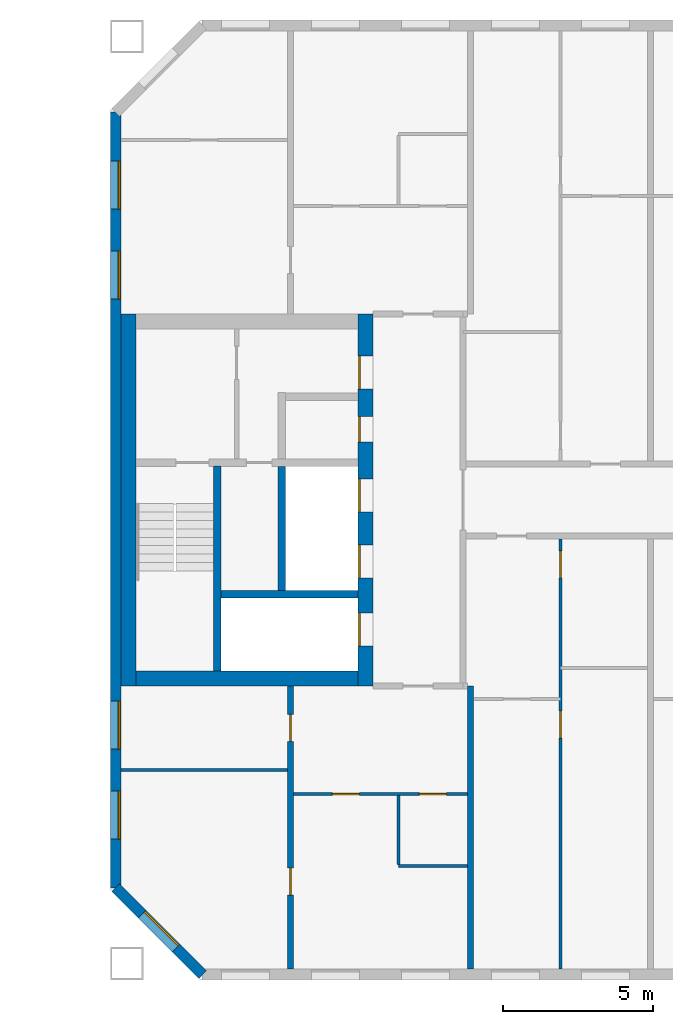
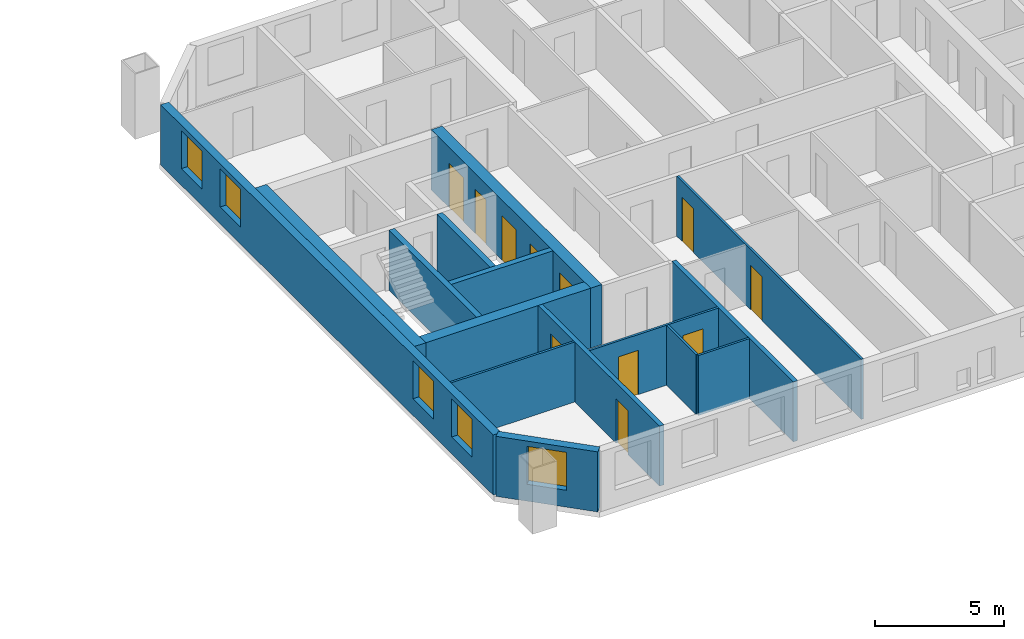
# One storey, part 8 of 15: 15 walls, 11 doors, 5 windows, 16 openings.
"""IFC4 building model written with IfcOpenShell, lengths in metres."""

from ifc_helpers import new_model, si_unit, direction, frame, frame_2d, origin, place, context, subcontext, project, spatial, rectangle, extrude, material, layer, layer_set, type_object, element, fill, save


model = new_model("IFC4")

# Units and contexts
model_context = context("Model", 3, precision=1e-05, world=origin(), true_north=direction((0.0, 1.0)))
body_context = subcontext(model_context, "Body", "Model", "MODEL_VIEW")
ifc_project = project(units=[si_unit("LENGTHUNIT", "METRE"), si_unit("AREAUNIT", "SQUARE_METRE"), si_unit("VOLUMEUNIT", "CUBIC_METRE"), si_unit("PLANEANGLEUNIT", "RADIAN"), si_unit("MASSUNIT", "GRAM", prefix="KILO")], contexts=[model_context])

# Site, building, storey
site_placement = place(None, origin())
site = spatial("IfcSite", under=ifc_project, at=site_placement, CompositionType="ELEMENT")
building_placement = place(site_placement, origin())
building = spatial("IfcBuilding", under=site, at=building_placement, Name="Tuart Gate Housing", CompositionType="ELEMENT")
storey_placement = place(building_placement, frame((0.0, 0.0, 164.0)))
storey = spatial("IfcBuildingStorey", under=building, at=storey_placement, Name="L46", CompositionType="ELEMENT", Elevation=164.0)

# Wall, opening, window
ifc_material_1 = material(Name="Brick", Category="masonry")
ifc_layer_1 = layer(ifc_material_1, 0.360107421875)
ifc_layer_set_1 = layer_set([ifc_layer_1], Name="Brick pier and spandrel wall 360")
wall_type_1 = type_object("IfcWallType", Name="Brick pier and spandrel wall 360", PredefinedType="STANDARD", material=ifc_layer_set_1)
wall_1_placement = place(storey_placement, frame((131.179931640625, 57.07470703125, 0.0), z_axis=(0.0, 0.0, 1.0), x_axis=(0.707106781187, -0.707106781187, 0.0)))
wall_1 = element("IfcWall", 1, at=wall_1_placement, inside=storey, type_object=wall_type_1, Name="External wall B-SW L46", PredefinedType="STANDARD", context=body_context, shape_type="SweptSolid", body=[
    extrude(rectangle(XDim=4.09375, YDim=0.360107421875, at=frame_2d((2.046875, 0.0))), origin(), (0.0, 0.0, 1.0), 2.85009765625),
])
opening_1_placement = place(wall_1_placement, frame((1.2470703125, 0.0, 0.800048828125)))
opening_1 = element("IfcOpeningElement", 2, at=opening_1_placement, cuts=wall_1, Name="Opening W1", PredefinedType="OPENING", context=body_context, shape_type="SweptSolid", body=[
    extrude(rectangle(XDim=1.60009765625, YDim=1.800048828125, at=frame_2d((0.800048828125, 0.89990234375))), frame((0.0, 0.18994140625, 0.0), z_axis=(0.0, -1.0, 0.0), x_axis=(1.0, 0.0, 0.0)), (0.0, 0.0, 1.0), 0.380126953125),
])
ifc_material_2 = material(Name="Aluminium frame with clear glass", Category="aluminium")
window_type = type_object("IfcWindowType", Name="Punched window 1600 x 1800", PartitioningType="SINGLE_PANEL", PredefinedType="WINDOW", material=ifc_material_2)
window_1_placement = place(opening_1_placement, origin())
window_1 = element("IfcWindow", 3, at=window_1_placement, inside=storey, type_object=window_type, Name="Window W1", OverallHeight=1.800048828125, OverallWidth=1.60009765625, PartitioningType="SINGLE_PANEL", PredefinedType="WINDOW", context=body_context, shape_type="SweptSolid", body=[
    extrude(rectangle(XDim=1.60009765625, YDim=1.800048828125, at=frame_2d((0.800048828125, 0.89990234375))), frame((0.0, 0.150146484375, 0.0), z_axis=(0.0, -1.0, 0.0), x_axis=(1.0, 0.0, 0.0)), (0.0, 0.0, 1.0), 0.06005859375),
])
fill(opening_1, window_1)

# Wall, openings, windows
wall_2_placement = place(storey_placement, frame((131.179931640625, 82.92529296875, 0.0), z_axis=(0.0, 0.0, 1.0), x_axis=(0.0, -1.0, 0.0)))
wall_2 = element("IfcWall", 4, at=wall_2_placement, inside=storey, type_object=wall_type_1, Name="External wall B-W L46", PredefinedType="STANDARD", context=body_context, shape_type="SweptSolid", body=[
    extrude(rectangle(XDim=25.850830078125, YDim=0.360107421875, at=frame_2d((12.92529296875, 0.0))), origin(), (0.0, 0.0, 1.0), 2.85009765625),
])
opening_2_placement = place(wall_2_placement, frame((1.62548828125, 0.0, 0.800048828125)))
opening_2 = element("IfcOpeningElement", 5, at=opening_2_placement, cuts=wall_2, Name="Opening W1", PredefinedType="OPENING", context=body_context, shape_type="SweptSolid", body=[
    extrude(rectangle(XDim=1.60009765625, YDim=1.800048828125, at=frame_2d((0.800048828125, 0.89990234375))), frame((0.0, 0.18994140625, 0.0), z_axis=(0.0, -1.0, 0.0), x_axis=(1.0, 0.0, 0.0)), (0.0, 0.0, 1.0), 0.380126953125),
])
opening_3_placement = place(wall_2_placement, frame((4.62548828125, 0.0, 0.800048828125)))
opening_3 = element("IfcOpeningElement", 6, at=opening_3_placement, cuts=wall_2, Name="Opening W1", PredefinedType="OPENING", context=body_context, shape_type="SweptSolid", body=[
    extrude(rectangle(XDim=1.60009765625, YDim=1.800048828125, at=frame_2d((0.800048828125, 0.89990234375))), frame((0.0, 0.18994140625, 0.0), z_axis=(0.0, -1.0, 0.0), x_axis=(1.0, 0.0, 0.0)), (0.0, 0.0, 1.0), 0.380126953125),
])
opening_4_placement = place(wall_2_placement, frame((19.62548828125, 0.0, 0.800048828125)))
opening_4 = element("IfcOpeningElement", 7, at=opening_4_placement, cuts=wall_2, Name="Opening W1", PredefinedType="OPENING", context=body_context, shape_type="SweptSolid", body=[
    extrude(rectangle(XDim=1.60009765625, YDim=1.800048828125, at=frame_2d((0.800048828125, 0.89990234375))), frame((0.0, 0.18994140625, 0.0), z_axis=(0.0, -1.0, 0.0), x_axis=(1.0, 0.0, 0.0)), (0.0, 0.0, 1.0), 0.380126953125),
])
opening_5_placement = place(wall_2_placement, frame((22.62548828125, 0.0, 0.800048828125)))
opening_5 = element("IfcOpeningElement", 8, at=opening_5_placement, cuts=wall_2, Name="Opening W1", PredefinedType="OPENING", context=body_context, shape_type="SweptSolid", body=[
    extrude(rectangle(XDim=1.60009765625, YDim=1.800048828125, at=frame_2d((0.800048828125, 0.89990234375))), frame((0.0, 0.18994140625, 0.0), z_axis=(0.0, -1.0, 0.0), x_axis=(1.0, 0.0, 0.0)), (0.0, 0.0, 1.0), 0.380126953125),
])
window_2_placement = place(opening_2_placement, origin())
window_2 = element("IfcWindow", 9, at=window_2_placement, inside=storey, type_object=window_type, Name="Window W1", OverallHeight=1.800048828125, OverallWidth=1.60009765625, PartitioningType="SINGLE_PANEL", PredefinedType="WINDOW", context=body_context, shape_type="SweptSolid", body=[
    extrude(rectangle(XDim=1.60009765625, YDim=1.800048828125, at=frame_2d((0.800048828125, 0.89990234375))), frame((0.0, 0.150146484375, 0.0), z_axis=(0.0, -1.0, 0.0), x_axis=(1.0, 0.0, 0.0)), (0.0, 0.0, 1.0), 0.06005859375),
])
fill(opening_2, window_2)
window_3_placement = place(opening_3_placement, origin())
window_3 = element("IfcWindow", 10, at=window_3_placement, inside=storey, type_object=window_type, Name="Window W1", OverallHeight=1.800048828125, OverallWidth=1.60009765625, PartitioningType="SINGLE_PANEL", PredefinedType="WINDOW", context=body_context, shape_type="SweptSolid", body=[
    extrude(rectangle(XDim=1.60009765625, YDim=1.800048828125, at=frame_2d((0.800048828125, 0.89990234375))), frame((0.0, 0.150146484375, 0.0), z_axis=(0.0, -1.0, 0.0), x_axis=(1.0, 0.0, 0.0)), (0.0, 0.0, 1.0), 0.06005859375),
])
fill(opening_3, window_3)
window_4_placement = place(opening_4_placement, origin())
window_4 = element("IfcWindow", 11, at=window_4_placement, inside=storey, type_object=window_type, Name="Window W1", OverallHeight=1.800048828125, OverallWidth=1.60009765625, PartitioningType="SINGLE_PANEL", PredefinedType="WINDOW", context=body_context, shape_type="SweptSolid", body=[
    extrude(rectangle(XDim=1.60009765625, YDim=1.800048828125, at=frame_2d((0.800048828125, 0.89990234375))), frame((0.0, 0.150146484375, 0.0), z_axis=(0.0, -1.0, 0.0), x_axis=(1.0, 0.0, 0.0)), (0.0, 0.0, 1.0), 0.06005859375),
])
fill(opening_4, window_4)
window_5_placement = place(opening_5_placement, origin())
window_5 = element("IfcWindow", 12, at=window_5_placement, inside=storey, type_object=window_type, Name="Window W1", OverallHeight=1.800048828125, OverallWidth=1.60009765625, PartitioningType="SINGLE_PANEL", PredefinedType="WINDOW", context=body_context, shape_type="SweptSolid", body=[
    extrude(rectangle(XDim=1.60009765625, YDim=1.800048828125, at=frame_2d((0.800048828125, 0.89990234375))), frame((0.0, 0.150146484375, 0.0), z_axis=(0.0, -1.0, 0.0), x_axis=(1.0, 0.0, 0.0)), (0.0, 0.0, 1.0), 0.06005859375),
])
fill(opening_5, window_5)

# Walls
ifc_material_3 = material(Name="Concrete C40", Category="concrete")
ifc_layer_2 = layer(ifc_material_3, 0.25)
ifc_layer_set_2 = layer_set([ifc_layer_2], Name="Core wall 250 C40")
wall_type_2 = type_object("IfcWallType", Name="Core wall 250 C40", PredefinedType="SHEAR", material=ifc_layer_set_2)
wall_3_placement = place(storey_placement, frame((139.260009765625, 66.85009765625, 0.0), z_axis=(0.0, 0.0, 1.0), x_axis=(-1.0, 0.0, 0.0)))
element("IfcWall", 13, at=wall_3_placement, inside=storey, type_object=wall_type_2, Name="Core wall BG.1", PredefinedType="SHEAR", context=body_context, shape_type="SweptSolid", body=[
    extrude(rectangle(XDim=4.574951171875, YDim=0.25, at=frame_2d((2.28759765625, 0.0))), origin(), (0.0, 0.0, 1.0), 2.85009765625),
])
wall_4_placement = place(storey_placement, frame((136.7099609375, 66.97509765625, 0.0), z_axis=(0.0, 0.0, 1.0), x_axis=(0.0, 1.0, 0.0)))
element("IfcWall", 14, at=wall_4_placement, inside=storey, type_object=wall_type_2, Name="Core wall BG.4", PredefinedType="SHEAR", context=body_context, shape_type="SweptSolid", body=[
    extrude(rectangle(XDim=4.14990234375, YDim=0.25, at=frame_2d((2.074951171875, 0.0))), origin(), (0.0, 0.0, 1.0), 2.85009765625),
])
wall_5_placement = place(storey_placement, frame((134.56005859375, 64.300048828125, 0.0), z_axis=(0.0, 0.0, 1.0), x_axis=(0.0, 1.0, 0.0)))
element("IfcWall", 15, at=wall_5_placement, inside=storey, type_object=wall_type_2, Name="Core wall BG.7", PredefinedType="SHEAR", context=body_context, shape_type="SweptSolid", body=[
    extrude(rectangle(XDim=6.824951171875, YDim=0.25, at=frame_2d((3.41259765625, 0.0))), origin(), (0.0, 0.0, 1.0), 2.85009765625),
])

# Wall, openings, doors
ifc_material_4 = material(Name="Concrete C40", Category="concrete")
ifc_layer_3 = layer(ifc_material_4, 0.5)
ifc_layer_set_3 = layer_set([ifc_layer_3], Name="Core wall 500 C40")
wall_type_3 = type_object("IfcWallType", Name="Core wall 500 C40", PredefinedType="SHEAR", material=ifc_layer_set_3)
wall_6_placement = place(storey_placement, frame((139.510009765625, 63.800048828125, 0.0), z_axis=(0.0, 0.0, 1.0), x_axis=(0.0, 1.0, 0.0)))
wall_6 = element("IfcWall", 16, at=wall_6_placement, inside=storey, type_object=wall_type_3, Name="Core wall BG front", PredefinedType="SHEAR", context=body_context, shape_type="SweptSolid", body=[
    extrude(rectangle(XDim=12.39990234375, YDim=0.5, at=frame_2d((6.199951171875, 0.0))), origin(), (0.0, 0.0, 1.0), 2.85009765625),
])
opening_6_placement = place(wall_6_placement, frame((1.324951171875, 0.0, 0.0)))
opening_6 = element("IfcOpeningElement", 17, at=opening_6_placement, cuts=wall_6, Name="Opening LD-FB1", PredefinedType="OPENING", context=body_context, shape_type="SweptSolid", body=[
    extrude(rectangle(XDim=1.10009765625, YDim=2.10009765625, at=frame_2d((0.550048828125, 1.050048828125))), frame((0.0, 0.260009765625, 0.0), z_axis=(0.0, -1.0, 0.0), x_axis=(1.0, 0.0, 0.0)), (0.0, 0.0, 1.0), 0.52001953125),
])
opening_7_placement = place(wall_6_placement, frame((3.60009765625, 0.0, 0.0)))
opening_7 = element("IfcOpeningElement", 18, at=opening_7_placement, cuts=wall_6, Name="Opening LD-LB1", PredefinedType="OPENING", context=body_context, shape_type="SweptSolid", body=[
    extrude(rectangle(XDim=1.10009765625, YDim=2.10009765625, at=frame_2d((0.550048828125, 1.050048828125))), frame((0.0, 0.260009765625, 0.0), z_axis=(0.0, -1.0, 0.0), x_axis=(1.0, 0.0, 0.0)), (0.0, 0.0, 1.0), 0.52001953125),
])
opening_8_placement = place(wall_6_placement, frame((5.800048828125, 0.0, 0.0)))
opening_8 = element("IfcOpeningElement", 19, at=opening_8_placement, cuts=wall_6, Name="Opening LD-LB2", PredefinedType="OPENING", context=body_context, shape_type="SweptSolid", body=[
    extrude(rectangle(XDim=1.10009765625, YDim=2.10009765625, at=frame_2d((0.550048828125, 1.050048828125))), frame((0.0, 0.260009765625, 0.0), z_axis=(0.0, -1.0, 0.0), x_axis=(1.0, 0.0, 0.0)), (0.0, 0.0, 1.0), 0.52001953125),
])
opening_9_placement = place(wall_6_placement, frame((9.89990234375, 0.0, 0.0)))
opening_9 = element("IfcOpeningElement", 20, at=opening_9_placement, cuts=wall_6, Name="Opening D1704", PredefinedType="OPENING", context=body_context, shape_type="SweptSolid", body=[
    extrude(rectangle(XDim=1.10009765625, YDim=2.10009765625, at=frame_2d((0.550048828125, 1.050048828125))), frame((0.0, 0.260009765625, 0.0), z_axis=(0.0, -1.0, 0.0), x_axis=(1.0, 0.0, 0.0)), (0.0, 0.0, 1.0), 0.52001953125),
])
opening_10_placement = place(wall_6_placement, frame((8.125, 0.0, 0.0)))
opening_10 = element("IfcOpeningElement", 21, at=opening_10_placement, cuts=wall_6, Name="Opening D1705", PredefinedType="OPENING", context=body_context, shape_type="SweptSolid", body=[
    extrude(rectangle(XDim=0.85009765625, YDim=2.10009765625, at=frame_2d((0.425048828125, 1.050048828125))), frame((0.0, 0.260009765625, 0.0), z_axis=(0.0, -1.0, 0.0), x_axis=(1.0, 0.0, 0.0)), (0.0, 0.0, 1.0), 0.52001953125),
])
ifc_material_5 = material(Name="Stainless steel", Category="steel")
door_type_1 = type_object("IfcDoorType", Name="Landing door 1100 x 2100", OperationType="DOUBLE_DOOR_SLIDING", PredefinedType="DOOR", material=ifc_material_5)
door_1_placement = place(opening_6_placement, origin())
door_1 = element("IfcDoor", 22, at=door_1_placement, inside=storey, type_object=door_type_1, Name="Lift landing door FB1", OperationType="DOUBLE_DOOR_SLIDING", OverallHeight=2.10009765625, OverallWidth=1.10009765625, PredefinedType="DOOR", context=body_context, shape_type="SweptSolid", body=[
    extrude(rectangle(XDim=1.10009765625, YDim=2.10009765625, at=frame_2d((0.550048828125, 1.050048828125))), frame((0.0, 0.23486328125, 0.0), z_axis=(0.0, -1.0, 0.0), x_axis=(1.0, 0.0, 0.0)), (0.0, 0.0, 1.0), 0.050048828125),
])
fill(opening_6, door_1)
door_2_placement = place(opening_7_placement, origin())
door_2 = element("IfcDoor", 23, at=door_2_placement, inside=storey, type_object=door_type_1, Name="Lift landing door LB1", OperationType="DOUBLE_DOOR_SLIDING", OverallHeight=2.10009765625, OverallWidth=1.10009765625, PredefinedType="DOOR", context=body_context, shape_type="SweptSolid", body=[
    extrude(rectangle(XDim=1.10009765625, YDim=2.10009765625, at=frame_2d((0.550048828125, 1.050048828125))), frame((0.0, 0.23486328125, 0.0), z_axis=(0.0, -1.0, 0.0), x_axis=(1.0, 0.0, 0.0)), (0.0, 0.0, 1.0), 0.050048828125),
])
fill(opening_7, door_2)
door_3_placement = place(opening_8_placement, origin())
door_3 = element("IfcDoor", 24, at=door_3_placement, inside=storey, type_object=door_type_1, Name="Lift landing door LB2", OperationType="DOUBLE_DOOR_SLIDING", OverallHeight=2.10009765625, OverallWidth=1.10009765625, PredefinedType="DOOR", context=body_context, shape_type="SweptSolid", body=[
    extrude(rectangle(XDim=1.10009765625, YDim=2.10009765625, at=frame_2d((0.550048828125, 1.050048828125))), frame((0.0, 0.23486328125, 0.0), z_axis=(0.0, -1.0, 0.0), x_axis=(1.0, 0.0, 0.0)), (0.0, 0.0, 1.0), 0.050048828125),
])
fill(opening_8, door_3)
ifc_material_6 = material(Name="Steel fire door", Category="steel")
door_type_2 = type_object("IfcDoorType", Name="Lobby door 1100 x 2100", OperationType="SINGLE_SWING_LEFT", PredefinedType="DOOR", material=ifc_material_6)
door_4_placement = place(opening_9_placement, origin())
door_4 = element("IfcDoor", 25, at=door_4_placement, inside=storey, type_object=door_type_2, Name="Lobby entry door BG.EN", OperationType="SINGLE_SWING_LEFT", OverallHeight=2.10009765625, OverallWidth=1.10009765625, PredefinedType="DOOR", context=body_context, shape_type="SweptSolid", body=[
    extrude(rectangle(XDim=1.10009765625, YDim=2.10009765625, at=frame_2d((0.550048828125, 1.050048828125))), frame((0.0, 0.23486328125, 0.0), z_axis=(0.0, -1.0, 0.0), x_axis=(1.0, 0.0, 0.0)), (0.0, 0.0, 1.0), 0.050048828125),
])
fill(opening_9, door_4)
ifc_material_7 = material(Name="Steel fire door", Category="steel")
door_type_3 = type_object("IfcDoorType", Name="Service door 850 x 2100", OperationType="SINGLE_SWING_LEFT", PredefinedType="DOOR", material=ifc_material_7)
door_5_placement = place(opening_10_placement, origin())
door_5 = element("IfcDoor", 26, at=door_5_placement, inside=storey, type_object=door_type_3, Name="Service room door BG.T1", OperationType="SINGLE_SWING_LEFT", OverallHeight=2.10009765625, OverallWidth=0.85009765625, PredefinedType="DOOR", context=body_context, shape_type="SweptSolid", body=[
    extrude(rectangle(XDim=0.85009765625, YDim=2.10009765625, at=frame_2d((0.425048828125, 1.050048828125))), frame((0.0, 0.23486328125, 0.0), z_axis=(0.0, -1.0, 0.0), x_axis=(1.0, 0.0, 0.0)), (0.0, 0.0, 1.0), 0.050048828125),
])
fill(opening_10, door_5)

# Walls
wall_7_placement = place(storey_placement, frame((131.610107421875, 63.800048828125, 0.0), z_axis=(0.0, 0.0, 1.0), x_axis=(0.0, 1.0, 0.0)))
element("IfcWall", 27, at=wall_7_placement, inside=storey, type_object=wall_type_3, Name="Core wall BG back", PredefinedType="SHEAR", context=body_context, shape_type="SweptSolid", body=[
    extrude(rectangle(XDim=12.39990234375, YDim=0.5, at=frame_2d((6.199951171875, 0.0))), origin(), (0.0, 0.0, 1.0), 2.85009765625),
])
wall_8_placement = place(storey_placement, frame((139.260009765625, 64.050048828125, 0.0), z_axis=(0.0, 0.0, 1.0), x_axis=(-1.0, 0.0, 0.0)))
element("IfcWall", 28, at=wall_8_placement, inside=storey, type_object=wall_type_3, Name="Core wall BG south", PredefinedType="SHEAR", context=body_context, shape_type="SweptSolid", body=[
    extrude(rectangle(XDim=7.39990234375, YDim=0.5, at=frame_2d((3.699951171875, 0.0))), origin(), (0.0, 0.0, 1.0), 2.85009765625),
])
ifc_material_8 = material(Name="Gypsum board on steel studs", Category="steel")
ifc_layer_4 = layer(ifc_material_8, 0.10009765625)
ifc_layer_set_4 = layer_set([ifc_layer_4], Name="Partition 100")
wall_type_4 = type_object("IfcWallType", Name="Partition 100", PredefinedType="PARTITIONING", material=ifc_layer_set_4)
wall_9_placement = place(storey_placement, frame((140.60009765625, 57.800048828125, 0.0), z_axis=(0.0, 0.0, 1.0), x_axis=(1.0, 0.0, 0.0)))
element("IfcWall", 29, at=wall_9_placement, inside=storey, type_object=wall_type_4, Name="Partition 100", PredefinedType="PARTITIONING", context=body_context, shape_type="SweptSolid", body=[
    extrude(rectangle(XDim=2.2998046875, YDim=0.10009765625, at=frame_2d((1.14990234375, 0.0))), origin(), (0.0, 0.0, 1.0), 2.85009765625),
])

# Wall, openings, doors
wall_10_placement = place(storey_placement, frame((137.10009765625, 60.199951171875, 0.0), z_axis=(0.0, 0.0, 1.0), x_axis=(1.0, 0.0, 0.0)))
wall_10 = element("IfcWall", 30, at=wall_10_placement, inside=storey, type_object=wall_type_4, Name="Partition 100", PredefinedType="PARTITIONING", context=body_context, shape_type="SweptSolid", body=[
    extrude(rectangle(XDim=5.7998046875, YDim=0.10009765625, at=frame_2d((2.89990234375, 0.0))), origin(), (0.0, 0.0, 1.0), 2.85009765625),
])
opening_11_placement = place(wall_10_placement, frame((1.300048828125, 0.0, 0.0)))
opening_11 = element("IfcOpeningElement", 31, at=opening_11_placement, cuts=wall_10, Name="Opening D1727", PredefinedType="OPENING", context=body_context, shape_type="SweptSolid", body=[
    extrude(rectangle(XDim=0.89990234375, YDim=2.10009765625, at=frame_2d((0.449951171875, 1.050048828125))), frame((0.0, 0.06005859375, 0.0), z_axis=(0.0, -1.0, 0.0), x_axis=(1.0, 0.0, 0.0)), (0.0, 0.0, 1.0), 0.1201171875),
])
opening_12_placement = place(wall_10_placement, frame((4.199951171875, 0.0, 0.0)))
opening_12 = element("IfcOpeningElement", 32, at=opening_12_placement, cuts=wall_10, Name="Opening D1726", PredefinedType="OPENING", context=body_context, shape_type="SweptSolid", body=[
    extrude(rectangle(XDim=0.89990234375, YDim=2.10009765625, at=frame_2d((0.449951171875, 1.050048828125))), frame((0.0, 0.06005859375, 0.0), z_axis=(0.0, -1.0, 0.0), x_axis=(1.0, 0.0, 0.0)), (0.0, 0.0, 1.0), 0.1201171875),
])
ifc_material_9 = material(Name="Timber door leaf in steel frame", Category="steel")
door_type_4 = type_object("IfcDoorType", Name="Bathroom door 900 RH", OperationType="SINGLE_SWING_RIGHT", PredefinedType="DOOR", material=ifc_material_9)
door_6_placement = place(opening_12_placement, frame((0.89990234375, 0.0, 0.0), z_axis=(0.0, 0.0, 1.0), x_axis=(-1.0, 0.0, 0.0)))
door_6 = element("IfcDoor", 33, at=door_6_placement, inside=storey, type_object=door_type_4, Name="Bathroom door", OperationType="SINGLE_SWING_RIGHT", OverallHeight=2.10009765625, OverallWidth=0.89990234375, PredefinedType="DOOR", context=body_context, shape_type="SweptSolid", body=[
    extrude(rectangle(XDim=0.89990234375, YDim=2.10009765625, at=frame_2d((0.449951171875, 1.050048828125))), frame((0.0, 0.025146484375, 0.0), z_axis=(0.0, -1.0, 0.0), x_axis=(1.0, 0.0, 0.0)), (0.0, 0.0, 1.0), 0.050048828125),
])
fill(opening_12, door_6)
ifc_material_10 = material(Name="Timber door leaf in steel frame", Category="steel")
door_type_5 = type_object("IfcDoorType", Name="Internal door 900", OperationType="SINGLE_SWING_LEFT", PredefinedType="DOOR", material=ifc_material_10)
door_7_placement = place(opening_11_placement, origin())
door_7 = element("IfcDoor", 34, at=door_7_placement, inside=storey, type_object=door_type_5, Name="Internal door", OperationType="SINGLE_SWING_LEFT", OverallHeight=2.10009765625, OverallWidth=0.89990234375, PredefinedType="DOOR", context=body_context, shape_type="SweptSolid", body=[
    extrude(rectangle(XDim=0.89990234375, YDim=2.10009765625, at=frame_2d((0.449951171875, 1.050048828125))), frame((0.0, 0.02490234375, 0.0), z_axis=(0.0, -1.0, 0.0), x_axis=(1.0, 0.0, 0.0)), (0.0, 0.0, 1.0), 0.050048828125),
])
fill(opening_11, door_7)

# Walls
wall_11_placement = place(storey_placement, frame((131.360107421875, 61.0, 0.0), z_axis=(0.0, 0.0, 1.0), x_axis=(1.0, 0.0, 0.0)))
element("IfcWall", 35, at=wall_11_placement, inside=storey, type_object=wall_type_4, Name="Partition 100", PredefinedType="PARTITIONING", context=body_context, shape_type="SweptSolid", body=[
    extrude(rectangle(XDim=5.539794921875, YDim=0.10009765625, at=frame_2d((2.77001953125, 0.0))), origin(), (0.0, 0.0, 1.0), 2.85009765625),
])
wall_12_placement = place(storey_placement, frame((140.60009765625, 57.85009765625, 0.0), z_axis=(0.0, 0.0, 1.0), x_axis=(0.0, 1.0, 0.0)))
element("IfcWall", 36, at=wall_12_placement, inside=storey, type_object=wall_type_4, Name="Partition 100", PredefinedType="PARTITIONING", context=body_context, shape_type="SweptSolid", body=[
    extrude(rectangle(XDim=2.2998046875, YDim=0.10009765625, at=frame_2d((1.14990234375, 0.0))), origin(), (0.0, 0.0, 1.0), 2.85009765625),
])

# Wall, openings, doors
wall_13_placement = place(storey_placement, frame((146.0, 54.360107421875, 0.0), z_axis=(0.0, 0.0, 1.0), x_axis=(0.0, 1.0, 0.0)))
wall_13 = element("IfcWall", 37, at=wall_13_placement, inside=storey, type_object=wall_type_4, Name="Partition 100", PredefinedType="PARTITIONING", context=body_context, shape_type="SweptSolid", body=[
    extrude(rectangle(XDim=14.33984375, YDim=0.10009765625, at=frame_2d((7.169921875, 0.0))), origin(), (0.0, 0.0, 1.0), 2.85009765625),
])
opening_13_placement = place(wall_13_placement, frame((7.699951171875, 0.0, 0.0)))
opening_13 = element("IfcOpeningElement", 38, at=opening_13_placement, cuts=wall_13, Name="Opening D1721", PredefinedType="OPENING", context=body_context, shape_type="SweptSolid", body=[
    extrude(rectangle(XDim=0.89990234375, YDim=2.10009765625, at=frame_2d((0.449951171875, 1.050048828125))), frame((0.0, 0.06005859375, 0.0), z_axis=(0.0, -1.0, 0.0), x_axis=(1.0, 0.0, 0.0)), (0.0, 0.0, 1.0), 0.1201171875),
])
opening_14_placement = place(wall_13_placement, frame((13.0400390625, 0.0, 0.0)))
opening_14 = element("IfcOpeningElement", 39, at=opening_14_placement, cuts=wall_13, Name="Opening D1720", PredefinedType="OPENING", context=body_context, shape_type="SweptSolid", body=[
    extrude(rectangle(XDim=0.89990234375, YDim=2.10009765625, at=frame_2d((0.449951171875, 1.050048828125))), frame((0.0, 0.06005859375, 0.0), z_axis=(0.0, -1.0, 0.0), x_axis=(1.0, 0.0, 0.0)), (0.0, 0.0, 1.0), 0.1201171875),
])
ifc_material_11 = material(Name="Timber door leaf in steel frame", Category="steel")
door_type_6 = type_object("IfcDoorType", Name="Bathroom door 900", OperationType="SINGLE_SWING_LEFT", PredefinedType="DOOR", material=ifc_material_11)
door_8_placement = place(opening_14_placement, frame((0.89990234375, 0.0, 0.0), z_axis=(0.0, 0.0, 1.0), x_axis=(-1.0, 0.0, 0.0)))
door_8 = element("IfcDoor", 40, at=door_8_placement, inside=storey, type_object=door_type_6, Name="Bathroom door", OperationType="SINGLE_SWING_LEFT", OverallHeight=2.10009765625, OverallWidth=0.89990234375, PredefinedType="DOOR", context=body_context, shape_type="SweptSolid", body=[
    extrude(rectangle(XDim=0.89990234375, YDim=2.10009765625, at=frame_2d((0.449951171875, 1.050048828125))), frame((0.0, 0.025146484375, 0.0), z_axis=(0.0, -1.0, 0.0), x_axis=(1.0, 0.0, 0.0)), (0.0, 0.0, 1.0), 0.050048828125),
])
fill(opening_14, door_8)
door_9_placement = place(opening_13_placement, frame((0.89990234375, 0.0, 0.0), z_axis=(0.0, 0.0, 1.0), x_axis=(-1.0, 0.0, 0.0)))
door_9 = element("IfcDoor", 41, at=door_9_placement, inside=storey, type_object=door_type_5, Name="Internal door", OperationType="SINGLE_SWING_LEFT", OverallHeight=2.10009765625, OverallWidth=0.89990234375, PredefinedType="DOOR", context=body_context, shape_type="SweptSolid", body=[
    extrude(rectangle(XDim=0.89990234375, YDim=2.10009765625, at=frame_2d((0.449951171875, 1.050048828125))), frame((0.0, 0.025146484375, 0.0), z_axis=(0.0, -1.0, 0.0), x_axis=(1.0, 0.0, 0.0)), (0.0, 0.0, 1.0), 0.050048828125),
])
fill(opening_13, door_9)

ifc_material_12 = material(Name="Concrete C40", Category="concrete")
ifc_layer_5 = layer(ifc_material_12, 0.199951171875)
ifc_layer_set_5 = layer_set([ifc_layer_5], Name="Party wall concrete C40 200")
wall_type_5 = type_object("IfcWallType", Name="Party wall concrete C40 200", PredefinedType="SOLIDWALL", material=ifc_layer_set_5)
wall_14_placement = place(storey_placement, frame((137.0, 54.360107421875, 0.0), z_axis=(0.0, 0.0, 1.0), x_axis=(0.0, 1.0, 0.0)))
wall_14 = element("IfcWall", 42, at=wall_14_placement, inside=storey, type_object=wall_type_5, Name="Party wall concrete C40 200", PredefinedType="SOLIDWALL", context=body_context, shape_type="SweptSolid", body=[
    extrude(rectangle(XDim=9.43994140625, YDim=0.199951171875, at=frame_2d((4.719970703125, 0.0))), origin(), (0.0, 0.0, 1.0), 2.85009765625),
])
opening_15_placement = place(wall_14_placement, frame((2.469970703125, 0.0, 0.0)))
opening_15 = element("IfcOpeningElement", 43, at=opening_15_placement, cuts=wall_14, Name="Opening D1729", PredefinedType="OPENING", context=body_context, shape_type="SweptSolid", body=[
    extrude(rectangle(XDim=0.89990234375, YDim=2.10009765625, at=frame_2d((0.449951171875, 1.050048828125))), frame((0.0, 0.10986328125, 0.0), z_axis=(0.0, -1.0, 0.0), x_axis=(1.0, 0.0, 0.0)), (0.0, 0.0, 1.0), 0.219970703125),
])
opening_16_placement = place(wall_14_placement, frame((7.590087890625, 0.0, 0.0)))
opening_16 = element("IfcOpeningElement", 44, at=opening_16_placement, cuts=wall_14, Name="Opening D1730", PredefinedType="OPENING", context=body_context, shape_type="SweptSolid", body=[
    extrude(rectangle(XDim=0.89990234375, YDim=2.10009765625, at=frame_2d((0.449951171875, 1.050048828125))), frame((0.0, 0.10986328125, 0.0), z_axis=(0.0, -1.0, 0.0), x_axis=(1.0, 0.0, 0.0)), (0.0, 0.0, 1.0), 0.219970703125),
])
door_10_placement = place(opening_15_placement, origin())
door_10 = element("IfcDoor", 45, at=door_10_placement, inside=storey, type_object=door_type_5, Name="Internal door", OperationType="SINGLE_SWING_LEFT", OverallHeight=2.10009765625, OverallWidth=0.89990234375, PredefinedType="DOOR", context=body_context, shape_type="SweptSolid", body=[
    extrude(rectangle(XDim=0.89990234375, YDim=2.10009765625, at=frame_2d((0.449951171875, 1.050048828125))), frame((0.0, 0.02490234375, 0.0), z_axis=(0.0, -1.0, 0.0), x_axis=(1.0, 0.0, 0.0)), (0.0, 0.0, 1.0), 0.050048828125),
])
fill(opening_15, door_10)
door_11_placement = place(opening_16_placement, origin())
door_11 = element("IfcDoor", 46, at=door_11_placement, inside=storey, type_object=door_type_5, Name="Internal door", OperationType="SINGLE_SWING_LEFT", OverallHeight=2.10009765625, OverallWidth=0.89990234375, PredefinedType="DOOR", context=body_context, shape_type="SweptSolid", body=[
    extrude(rectangle(XDim=0.89990234375, YDim=2.10009765625, at=frame_2d((0.449951171875, 1.050048828125))), frame((0.0, 0.02490234375, 0.0), z_axis=(0.0, -1.0, 0.0), x_axis=(1.0, 0.0, 0.0)), (0.0, 0.0, 1.0), 0.050048828125),
])
fill(opening_16, door_11)

# Wall
wall_15_placement = place(storey_placement, frame((143.0, 54.360107421875, 0.0), z_axis=(0.0, 0.0, 1.0), x_axis=(0.0, 1.0, 0.0)))
element("IfcWall", 47, at=wall_15_placement, inside=storey, type_object=wall_type_5, Name="Party wall concrete C40 200", PredefinedType="SOLIDWALL", context=body_context, shape_type="SweptSolid", body=[
    extrude(rectangle(XDim=9.43994140625, YDim=0.199951171875, at=frame_2d((4.719970703125, 0.0))), origin(), (0.0, 0.0, 1.0), 2.85009765625),
])

save(model, "model.ifc")
